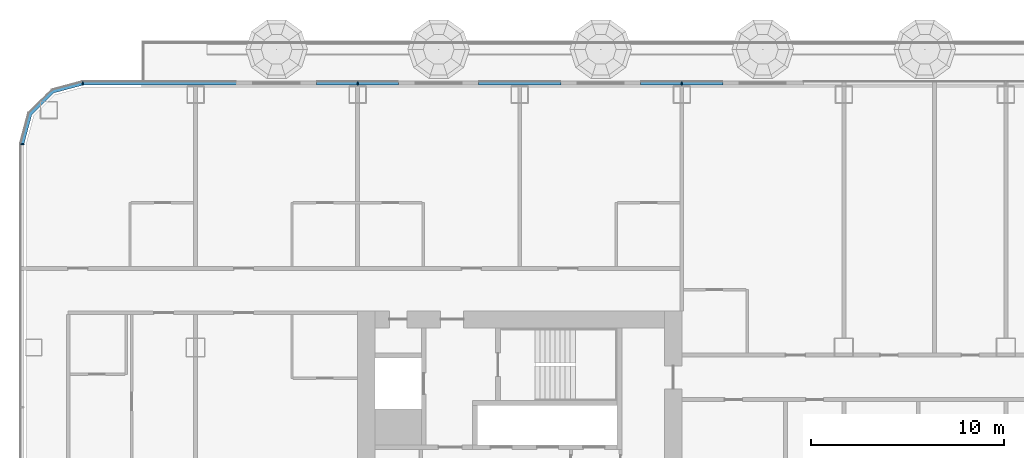
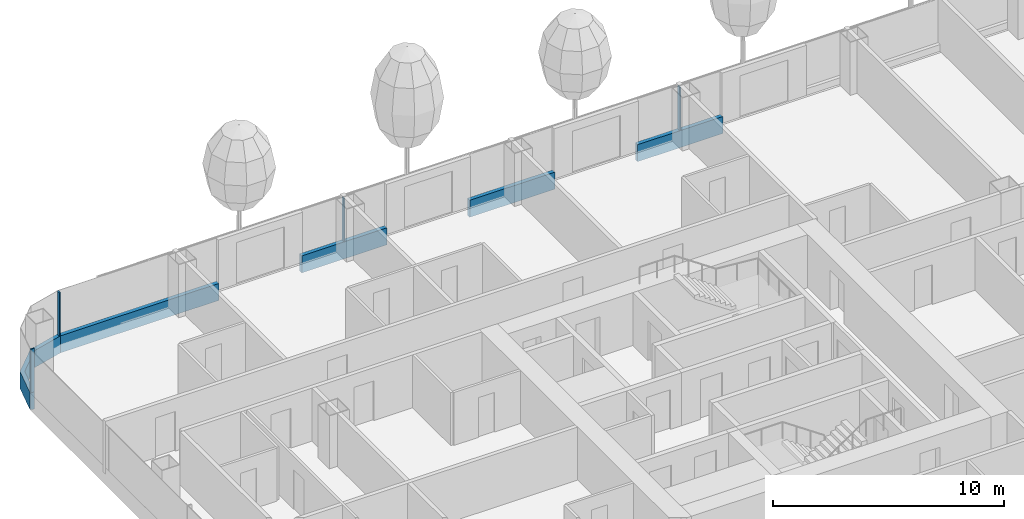
# One storey, part 5 of 35: 9 members, 3 elements without a shape of their own.
"""IFC4 building model written with IfcOpenShell, lengths in metres."""

from ifc_helpers import new_model, si_unit, direction, frame, origin, origin_2d, place, context, subcontext, project, spatial, polyline, rectangle, outline, extrude, material, layer, layer_set, material_profile, profile_set, type_object, element, aggregate, save


model = new_model("IFC4")

# Units and contexts
model_context = context("Model", 3, precision=1e-05, world=origin(), true_north=direction((0.0, 1.0)))
body_context = subcontext(model_context, "Body", "Model", "MODEL_VIEW")
ifc_project = project(units=[si_unit("LENGTHUNIT", "METRE"), si_unit("AREAUNIT", "SQUARE_METRE"), si_unit("VOLUMEUNIT", "CUBIC_METRE"), si_unit("PLANEANGLEUNIT", "RADIAN"), si_unit("MASSUNIT", "GRAM", prefix="KILO")], contexts=[model_context])

# Site, building, storey
site_placement = place(None, origin())
site = spatial("IfcSite", under=ifc_project, at=site_placement, CompositionType="ELEMENT")
building_placement = place(site_placement, origin())
building = spatial("IfcBuilding", under=site, at=building_placement, Name="Hakoniwa Tower and Hamabe Station Hall", CompositionType="ELEMENT")
storey_placement = place(building_placement, frame((0.0, 0.0, 51.800048828125)))
storey = spatial("IfcBuildingStorey", under=building, at=storey_placement, Name="L14", CompositionType="ELEMENT", Elevation=51.800048828125)

# Curtain wall, members
ifc_material_1 = material(Name="Dark low-e laminated glass", Category="glass")
ifc_layer = layer(ifc_material_1, 0.199951171875)
ifc_layer_set = layer_set([ifc_layer], Name="CW-1 UNITISED GUEST")
curtain_wall_type = type_object("IfcCurtainWallType", Name="CW-1 UNITISED GUEST", PredefinedType="NOTDEFINED", material=ifc_layer_set)
curtain_wall_1_placement = place(storey_placement, origin())
curtain_wall_1 = element("IfcCurtainWall", 1, at=curtain_wall_1_placement, inside=storey, type_object=curtain_wall_type, Name="CW-1 curtain wall", PredefinedType="NOTDEFINED")
ifc_material_2 = material(Name="Aluminium 6063-T5 black anodised", Category="aluminium")
ifc_material_profile_1 = material_profile(ifc_material_2, rectangle(XDim=0.199951171875, YDim=0.89990234375, at=origin_2d()), Name="CW SLAB-EDGE BAND 900X200")
ifc_profile_set_1 = profile_set([ifc_material_profile_1], Name="Aluminium 6063-T5 black anodised")
member_type_1 = type_object("IfcMemberType", Name="CW SLAB-EDGE BAND 900X200", PredefinedType="USERDEFINED", material=ifc_profile_set_1)
member_1_placement = place(storey_placement, frame((-14.669921875, 20.199951171875, -0.10009765625), z_axis=(-1.0, 0.0, 0.0), x_axis=(0.0, -1.0, 0.0)))
member_1 = element("IfcMember", 2, at=member_1_placement, type_object=member_type_1, Name="CW-1 transom", ObjectType="TRANSOM", PredefinedType="USERDEFINED", context=body_context, shape_type="SweptSolid", body=[
    extrude(rectangle(XDim=0.199951171875, YDim=0.89990234375, at=origin_2d()), origin(), (0.0, 0.0, 1.0), 4.260009765625),
])
member_2_placement = place(storey_placement, frame((-23.070068359375, 20.199951171875, -0.10009765625), z_axis=(-1.0, 0.0, 0.0), x_axis=(0.0, -1.0, 0.0)))
member_2 = element("IfcMember", 3, at=member_2_placement, type_object=member_type_1, Name="CW-1 transom", ObjectType="TRANSOM", PredefinedType="USERDEFINED", context=body_context, shape_type="SweptSolid", body=[
    extrude(rectangle(XDim=0.199951171875, YDim=0.89990234375, at=origin_2d()), origin(), (0.0, 0.0, 1.0), 4.260009765625),
])
member_3_placement = place(storey_placement, frame((-31.469970703125, 20.199951171875, -0.10009765625), z_axis=(-1.0, 0.0, 0.0), x_axis=(0.0, -1.0, 0.0)))
member_3 = element("IfcMember", 4, at=member_3_placement, type_object=member_type_1, Name="CW-1 transom", ObjectType="TRANSOM", PredefinedType="USERDEFINED", context=body_context, shape_type="SweptSolid", body=[
    extrude(rectangle(XDim=0.199951171875, YDim=0.89990234375, at=origin_2d()), origin(), (0.0, 0.0, 1.0), 4.260009765625),
])
member_4_placement = place(storey_placement, frame((-39.8701171875, 20.199951171875, -0.10009765625), z_axis=(-1.0, 0.0, 0.0), x_axis=(0.0, -1.0, 0.0)))
member_4 = element("IfcMember", 5, at=member_4_placement, type_object=member_type_1, Name="CW-1 transom", ObjectType="TRANSOM", PredefinedType="USERDEFINED", context=body_context, shape_type="SweptSolid", body=[
    extrude(rectangle(XDim=0.199951171875, YDim=0.89990234375, at=origin_2d()), origin(), (0.0, 0.0, 1.0), 7.969482421875),
])

# Curtain wall, member
curtain_wall_2_placement = place(storey_placement, origin())
curtain_wall_2 = element("IfcCurtainWall", 6, at=curtain_wall_2_placement, inside=storey, type_object=curtain_wall_type, Name="CW-1 curtain wall", PredefinedType="NOTDEFINED")
member_5_placement = place(storey_placement, frame((0.0, 0.0, -0.550048828125)))
member_5 = element("IfcMember", 7, at=member_5_placement, type_object=member_type_1, Name="CW-1 transom", ObjectType="TRANSOM", PredefinedType="USERDEFINED", context=body_context, shape_type="SweptSolid", body=[
    extrude(outline(polyline([(-47.839599609375, 20.300048828125), (-49.455322265625, 19.866943359375), (-50.6669921875, 18.6552734375), (-51.10009765625, 17.03955078125), (-50.90673828125, 16.98779296875), (-50.48779296875, 18.5517578125), (-49.351806640625, 19.687744140625), (-47.787841796875, 20.10693359375), (-47.839599609375, 20.300048828125)])), origin(), (0.0, 0.0, 1.0), 0.89990234375),
])
aggregate(curtain_wall_2, [member_5])

# Member
ifc_material_3 = material(Name="Aluminium 6063-T5 black anodised", Category="aluminium")
ifc_material_profile_2 = material_profile(ifc_material_3, rectangle(XDim=0.06005859375, YDim=0.179931640625, at=origin_2d()), Name="CW-1 MULLION 60X180")
ifc_profile_set_2 = profile_set([ifc_material_profile_2], Name="Aluminium 6063-T5 black anodised")
member_type_2 = type_object("IfcMemberType", Name="CW-1 MULLION 60X180", PredefinedType="MULLION", material=ifc_profile_set_2)
member_6_placement = place(storey_placement, frame((-16.800048828125, 20.181884765625, 0.349853515625), z_axis=(0.0, 0.0, 1.0), x_axis=(-1.0, 0.0, 0.0)))
member_6 = element("IfcMember", 8, at=member_6_placement, type_object=member_type_2, Name="CW-1 mullion", PredefinedType="MULLION", context=body_context, shape_type="SweptSolid", body=[
    extrude(rectangle(XDim=0.06005859375, YDim=0.179931640625, at=origin_2d()), origin(), (0.0, 0.0, 1.0), 2.300048828125),
])

member_7_placement = place(storey_placement, frame((-33.60009765625, 20.181884765625, 0.349853515625), z_axis=(0.0, 0.0, 1.0), x_axis=(-1.0, 0.0, 0.0)))
member_7 = element("IfcMember", 9, at=member_7_placement, type_object=member_type_2, Name="CW-1 mullion", PredefinedType="MULLION", context=body_context, shape_type="SweptSolid", body=[
    extrude(rectangle(XDim=0.06005859375, YDim=0.179931640625, at=origin_2d()), origin(), (0.0, 0.0, 1.0), 2.300048828125),
])

member_8_placement = place(storey_placement, frame((-47.839599609375, 20.181884765625, 0.349853515625), z_axis=(0.0, 0.0, 1.0), x_axis=(-1.0, 0.0, 0.0)))
member_8 = element("IfcMember", 10, at=member_8_placement, type_object=member_type_2, Name="CW-1 mullion", PredefinedType="MULLION", context=body_context, shape_type="SweptSolid", body=[
    extrude(rectangle(XDim=0.06005859375, YDim=0.179931640625, at=origin_2d()), origin(), (0.0, 0.0, 1.0), 2.300048828125),
])

aggregate(curtain_wall_1, [member_6, member_7, member_8, member_1, member_2, member_3, member_4])

# Curtain wall, member
curtain_wall_3_placement = place(storey_placement, origin())
curtain_wall_3 = element("IfcCurtainWall", 11, at=curtain_wall_3_placement, inside=storey, type_object=curtain_wall_type, Name="CW-1 curtain wall", PredefinedType="NOTDEFINED")
member_9_placement = place(storey_placement, frame((-50.98193359375, 17.03955078125, 0.349853515625), z_axis=(0.0, 0.0, 1.0), x_axis=(0.0, -1.0, 0.0)))
member_9 = element("IfcMember", 12, at=member_9_placement, type_object=member_type_2, Name="CW-1 mullion", PredefinedType="MULLION", context=body_context, shape_type="SweptSolid", body=[
    extrude(rectangle(XDim=0.06005859375, YDim=0.179931640625, at=origin_2d()), origin(), (0.0, 0.0, 1.0), 2.300048828125),
])
aggregate(curtain_wall_3, [member_9])

save(model, "model.ifc")
